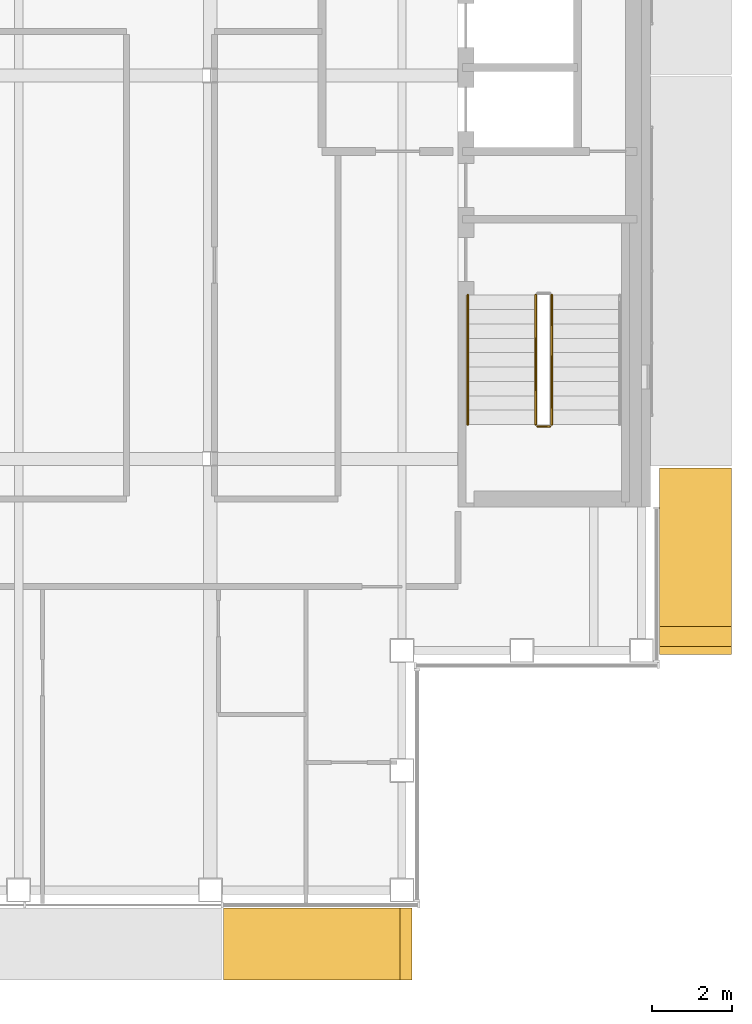
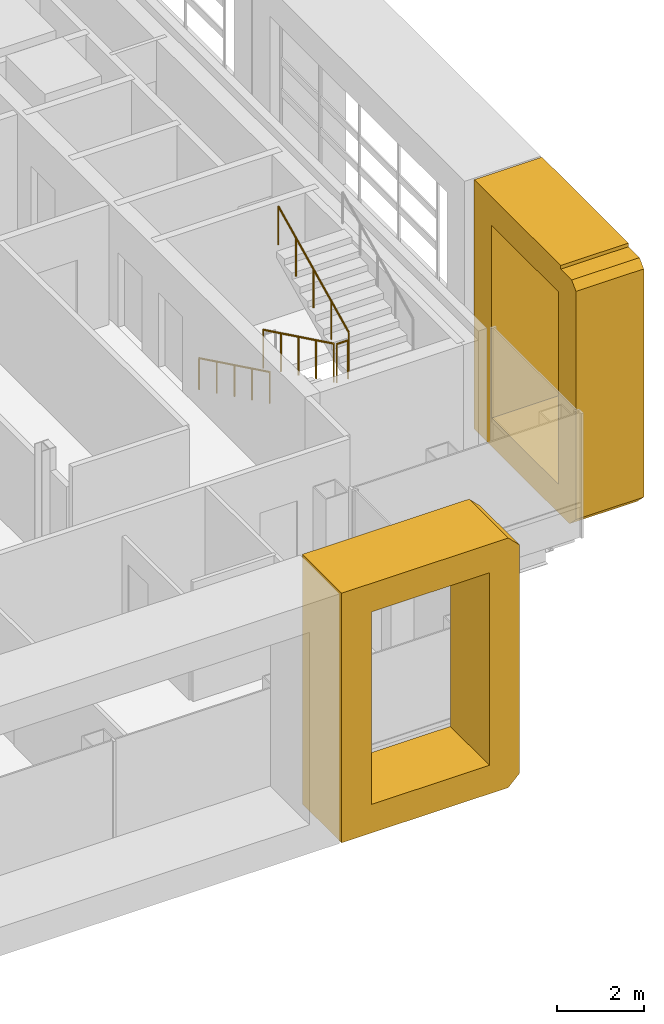
# One storey, part 17 of 21: 4 railings, 2 coverings.
"""IFC4 building model written with IfcOpenShell, lengths in metres."""

from ifc_helpers import new_model, si_unit, direction, frame, origin, origin_2d, place, context, subcontext, project, spatial, polyline, circle, outline, extrude, material, type_object, element, save


model = new_model("IFC4")

# Units and contexts
model_context = context("Model", 3, precision=1e-05, world=origin(), true_north=direction((0.0, 1.0)))
body_context = subcontext(model_context, "Body", "Model", "MODEL_VIEW")
ifc_project = project(units=[si_unit("LENGTHUNIT", "METRE"), si_unit("AREAUNIT", "SQUARE_METRE"), si_unit("VOLUMEUNIT", "CUBIC_METRE"), si_unit("PLANEANGLEUNIT", "RADIAN"), si_unit("MASSUNIT", "GRAM", prefix="KILO")], contexts=[model_context])

# Site, building, storey
site_placement = place(None, origin())
site = spatial("IfcSite", under=ifc_project, at=site_placement, CompositionType="ELEMENT")
building_placement = place(site_placement, origin())
building = spatial("IfcBuilding", under=site, at=building_placement, Name="Cobrizo Arcos Hotel Tower", CompositionType="ELEMENT")
storey_placement = place(building_placement, frame((0.0, 0.0, 248.0)))
storey = spatial("IfcBuildingStorey", under=building, at=storey_placement, Name="L65", CompositionType="ELEMENT", Elevation=248.0)

# Coverings
ifc_material_1 = material(Name="Aluminium 6063-T6 anodised bronze", Category="aluminium")
covering_type = type_object("IfcCoveringType", Name="FIN-F 1800", PredefinedType="CLADDING", material=ifc_material_1)
covering_1_placement = place(storey_placement, frame((20.85009765625, -14.5, 0.0), z_axis=(1.0, 0.0, 0.0), x_axis=(0.0, 1.0, 0.0)))
element("IfcCovering", 1, at=covering_1_placement, inside=storey, type_object=covering_type, Name="Fin frame 383", PredefinedType="CLADDING", context=body_context, shape_type="SweptSolid", body=[
    extrude(outline(polyline([(4.675048828125, 7.0), (0.701904296875, 7.0), (0.701904296875, 6.89794921875), (0.197998046875, 6.89794921875), (0.0, 6.699951171875), (0.0, 0.300048828125), (0.300048828125, 0.0), (4.675048828125, 0.0), (4.675048828125, 7.0)]), holes=[polyline([(3.875, 0.800048828125), (0.800048828125, 0.800048828125), (0.800048828125, 6.199951171875), (3.875, 6.199951171875), (3.875, 0.800048828125)])]), origin(), (0.0, 0.0, 1.0), 1.7998046875),
])
covering_2_placement = place(storey_placement, frame((9.925048828125, -20.85009765625, 0.0), z_axis=(0.0, -1.0, 0.0), x_axis=(1.0, 0.0, 0.0)))
element("IfcCovering", 2, at=covering_2_placement, inside=storey, type_object=covering_type, Name="Fin frame 414", PredefinedType="CLADDING", context=body_context, shape_type="SweptSolid", body=[
    extrude(outline(polyline([(0.0, 7.0), (0.0, 0.0), (4.425048828125, 0.0), (4.72509765625, 0.300048828125), (4.72509765625, 6.699951171875), (4.425048828125, 7.0), (0.0, 7.0)]), holes=[polyline([(3.925048828125, 0.800048828125), (0.800048828125, 0.800048828125), (0.800048828125, 6.199951171875), (3.925048828125, 6.199951171875), (3.925048828125, 0.800048828125)])]), origin(), (0.0, 0.0, 1.0), 1.7998046875),
])

# Railings
ifc_material_2 = material(Name="Stainless steel railing", Category="steel")
railing_type_1 = type_object("IfcRailingType", Name="Stair guard 1100", PredefinedType="GUARDRAIL", material=ifc_material_2)
railing_1_placement = place(storey_placement, frame((17.75, -5.5, 0.175048828125)))
element("IfcRailing", 3, at=railing_1_placement, inside=storey, type_object=railing_type_1, Name="L65 ST-E stair guard 1", PredefinedType="GUARDRAIL", context=body_context, shape_type="SweptSolid", body=[
    extrude(circle(Radius=0.02392578125, at=origin_2d()), frame((0.0, 0.0, 1.076171875), z_axis=(0.0, -0.899372665325, 0.437182809435), x_axis=(1.0, 0.0, 0.0)), (0.0, 0.0, 1.0), 3.6025390625),
    extrude(circle(Radius=0.02099609375, at=origin_2d()), origin(), (0.0, 0.0, 1.0), 1.052001953125),
    extrude(circle(Radius=0.02099609375, at=origin_2d()), frame((0.0, -0.81005859375, 0.393798828125)), (0.0, 0.0, 1.0), 1.052001953125),
    extrude(circle(Radius=0.02099609375, at=origin_2d()), frame((0.0, -1.6201171875, 0.78759765625)), (0.0, 0.0, 1.0), 1.052001953125),
    extrude(circle(Radius=0.02099609375, at=origin_2d()), frame((0.0, -2.429931640625, 1.18115234375)), (0.0, 0.0, 1.0), 1.052001953125),
    extrude(circle(Radius=0.02099609375, at=origin_2d()), frame((0.0, -3.239990234375, 1.574951171875)), (0.0, 0.0, 1.0), 1.052001953125),
])
railing_2_placement = place(storey_placement, frame((17.800048828125, -8.7900390625, 1.75)))
element("IfcRailing", 4, at=railing_2_placement, inside=storey, type_object=railing_type_1, Name="L65 ST-E stair guard 2", PredefinedType="GUARDRAIL", context=body_context, shape_type="SweptSolid", body=[
    extrude(circle(Radius=0.02392578125, at=origin_2d()), frame((0.0, 0.0, 1.076171875), z_axis=(1.0, 0.0, 0.0), x_axis=(0.0, 1.0, 0.0)), (0.0, 0.0, 1.0), 0.300048828125),
    extrude(circle(Radius=0.02099609375, at=origin_2d()), origin(), (0.0, 0.0, 1.0), 1.052001953125),
    extrude(circle(Radius=0.02099609375, at=origin_2d()), frame((0.300048828125, 0.0, 0.0)), (0.0, 0.0, 1.0), 1.052001953125),
])
railing_3_placement = place(storey_placement, frame((18.14990234375, -8.739990234375, 1.925048828125)))
element("IfcRailing", 5, at=railing_3_placement, inside=storey, type_object=railing_type_1, Name="L65 ST-E stair guard 3", PredefinedType="GUARDRAIL", context=body_context, shape_type="SweptSolid", body=[
    extrude(circle(Radius=0.02392578125, at=origin_2d()), frame((0.0, 0.0, 1.076171875), z_axis=(0.0, 0.899372665325, 0.437182809435), x_axis=(-1.0, 0.0, 0.0)), (0.0, 0.0, 1.0), 3.6025390625),
    extrude(circle(Radius=0.02099609375, at=origin_2d()), origin(), (0.0, 0.0, 1.0), 1.052001953125),
    extrude(circle(Radius=0.02099609375, at=origin_2d()), frame((0.0, 0.81005859375, 0.393798828125)), (0.0, 0.0, 1.0), 1.052001953125),
    extrude(circle(Radius=0.02099609375, at=origin_2d()), frame((0.0, 1.6201171875, 0.78759765625)), (0.0, 0.0, 1.0), 1.052001953125),
    extrude(circle(Radius=0.02099609375, at=origin_2d()), frame((0.0, 2.429931640625, 1.18115234375)), (0.0, 0.0, 1.0), 1.052001953125),
    extrude(circle(Radius=0.02099609375, at=origin_2d()), frame((0.0, 3.239990234375, 1.574951171875)), (0.0, 0.0, 1.0), 1.052001953125),
])
railing_type_2 = type_object("IfcRailingType", Name="Stair handrail", PredefinedType="HANDRAIL", material=ifc_material_2)
railing_4_placement = place(storey_placement, frame((16.050048828125, -5.5, 0.175048828125)))
element("IfcRailing", 6, at=railing_4_placement, inside=storey, type_object=railing_type_2, Name="L65 ST-E stair handrail 1", PredefinedType="HANDRAIL", context=body_context, shape_type="SweptSolid", body=[
    extrude(circle(Radius=0.02392578125, at=origin_2d()), frame((0.0, 0.0, 0.8759765625), z_axis=(0.0, -0.899372665325, 0.437182809435), x_axis=(1.0, 0.0, 0.0)), (0.0, 0.0, 1.0), 3.6025390625),
    extrude(circle(Radius=0.02099609375, at=origin_2d()), origin(), (0.0, 0.0, 1.0), 0.851806640625),
    extrude(circle(Radius=0.02099609375, at=origin_2d()), frame((0.0, -0.81005859375, 0.393798828125)), (0.0, 0.0, 1.0), 0.851806640625),
    extrude(circle(Radius=0.02099609375, at=origin_2d()), frame((0.0, -1.6201171875, 0.78759765625)), (0.0, 0.0, 1.0), 0.851806640625),
    extrude(circle(Radius=0.02099609375, at=origin_2d()), frame((0.0, -2.429931640625, 1.18115234375)), (0.0, 0.0, 1.0), 0.851806640625),
    extrude(circle(Radius=0.02099609375, at=origin_2d()), frame((0.0, -3.239990234375, 1.574951171875)), (0.0, 0.0, 1.0), 0.851806640625),
])

save(model, "model.ifc")
